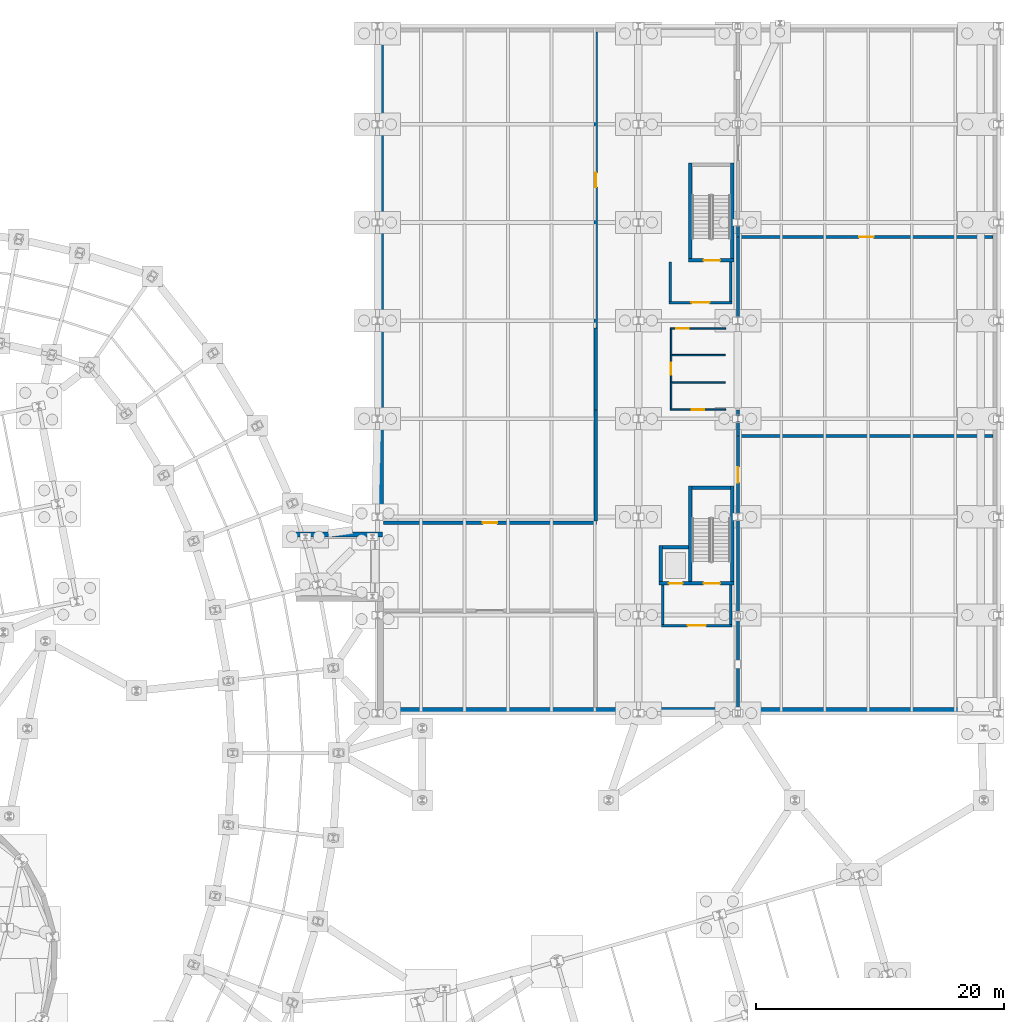
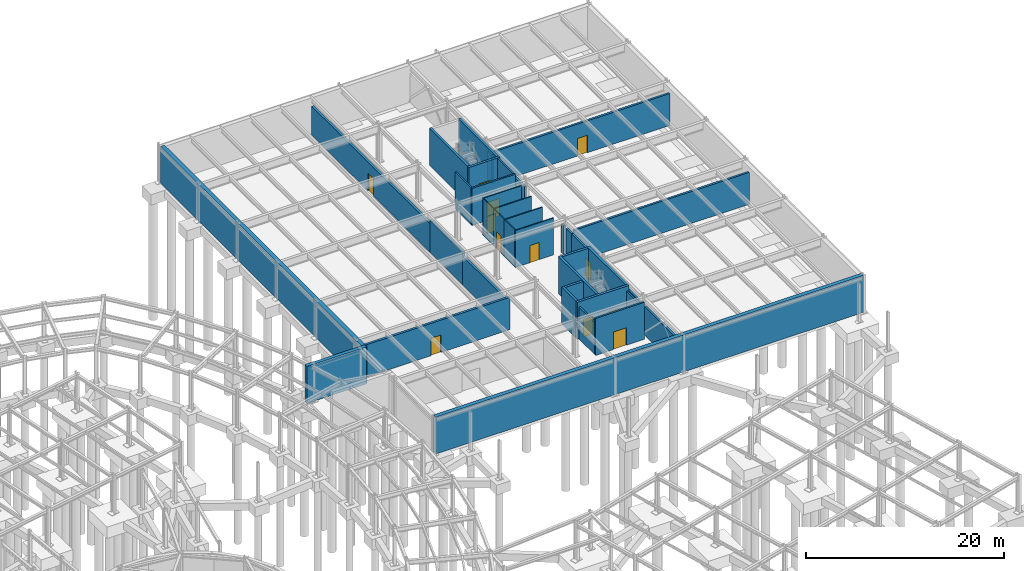
# One storey, part 44 of 50: 38 walls, 12 doors, 12 openings.
"""IFC4 building model written with IfcOpenShell, lengths in metres."""

from ifc_helpers import new_model, si_unit, direction, frame, frame_2d, origin, place, context, subcontext, project, spatial, rectangle, extrude, material, layer, layer_set, type_object, element, fill, save


model = new_model("IFC4")

# Units and contexts
model_context = context("Model", 3, precision=1e-05, world=origin(), true_north=direction((0.0, 1.0)))
body_context = subcontext(model_context, "Body", "Model", "MODEL_VIEW")
ifc_project = project(units=[si_unit("LENGTHUNIT", "METRE"), si_unit("AREAUNIT", "SQUARE_METRE"), si_unit("VOLUMEUNIT", "CUBIC_METRE"), si_unit("PLANEANGLEUNIT", "RADIAN"), si_unit("MASSUNIT", "GRAM", prefix="KILO")], contexts=[model_context])

# Site, building, storey
site_placement = place(None, origin())
site = spatial("IfcSite", under=ifc_project, at=site_placement, CompositionType="ELEMENT")
building_placement = place(site_placement, origin())
building = spatial("IfcBuilding", under=site, at=building_placement, Name="Varnklinge Art Gallery", CompositionType="ELEMENT")
storey_placement = place(building_placement, frame((0.0, 0.0, -4.800048828125)))
storey = spatial("IfcBuildingStorey", under=building, at=storey_placement, Name="B01", CompositionType="ELEMENT", Elevation=-4.800048828125)

# Wall, opening, door
ifc_material_1 = material(Name="Gypsum Board Partition", Category="gypsum")
ifc_layer_1 = layer(ifc_material_1, 0.1201171875)
ifc_layer_set_1 = layer_set([ifc_layer_1], Name="Gypsum Board Partition")
wall_type_1 = type_object("IfcWallType", Name="IW-12", PredefinedType="PARTITIONING", material=ifc_layer_set_1)
wall_1_placement = place(storey_placement, frame((137.969970703125, 82.6298828125, 0.0), z_axis=(0.0, 0.0, 1.0), x_axis=(1.0, 0.0, 0.0)))
wall_1 = element("IfcWall", 1, at=wall_1_placement, inside=storey, type_object=wall_type_1, Name="B01 Partition Wall IW-B01-0003", PredefinedType="PARTITIONING", context=body_context, shape_type="SweptSolid", body=[
    extrude(rectangle(XDim=4.4599609375, YDim=0.1201171875, at=frame_2d((2.22998046875, 0.0))), origin(), (0.0, 0.0, 1.0), 4.5400390625),
])
opening_1_placement = place(wall_1_placement, frame((1.719970703125, 0.0, 0.0)))
opening_1 = element("IfcOpeningElement", 2, at=opening_1_placement, cuts=wall_1, Name="Opening D-B01-118", PredefinedType="OPENING", context=body_context, shape_type="SweptSolid", body=[
    extrude(rectangle(XDim=1.02001953125, YDim=2.1201171875, at=frame_2d((0.510009765625, 1.06005859375))), frame((0.0, 0.070068359375, 0.0), z_axis=(0.0, -1.0, 0.0), x_axis=(1.0, 0.0, 0.0)), (0.0, 0.0, 1.0), 0.14013671875),
])
ifc_material_2 = material(Name="Oak Timber Leaf", Category="wood")
door_type_1 = type_object("IfcDoorType", Name="ID-03", OperationType="SINGLE_SWING_LEFT", PredefinedType="DOOR", material=ifc_material_2)
door_1_placement = place(opening_1_placement, origin())
door_1 = element("IfcDoor", 3, at=door_1_placement, inside=storey, type_object=door_type_1, Name="B01 B01 Accessible WC East Door D-B01-118", OperationType="SINGLE_SWING_RIGHT", OverallHeight=2.1201171875, OverallWidth=1.02001953125, PredefinedType="DOOR", context=body_context, shape_type="SweptSolid", body=[
    extrude(rectangle(XDim=1.02001953125, YDim=2.1201171875, at=frame_2d((0.510009765625, 1.06005859375))), frame((0.0, 0.02490234375, 0.0), z_axis=(0.0, -1.0, 0.0), x_axis=(1.0, 0.0, 0.0)), (0.0, 0.0, 1.0), 0.050048828125),
])
fill(opening_1, door_1)

wall_2_placement = place(storey_placement, frame((142.429931640625, 89.169921875, 0.0), z_axis=(0.0, 0.0, 1.0), x_axis=(-1.0, 0.0, 0.0)))
wall_2 = element("IfcWall", 4, at=wall_2_placement, inside=storey, type_object=wall_type_1, Name="B01 Partition Wall IW-B01-0011", PredefinedType="PARTITIONING", context=body_context, shape_type="SweptSolid", body=[
    extrude(rectangle(XDim=4.4599609375, YDim=0.1201171875, at=frame_2d((2.22998046875, 0.0))), origin(), (0.0, 0.0, 1.0), 4.5400390625),
])
opening_2_placement = place(wall_2_placement, frame((2.96875, 0.0, 0.0)))
opening_2 = element("IfcOpeningElement", 5, at=opening_2_placement, cuts=wall_2, Name="Opening D-B01-120", PredefinedType="OPENING", context=body_context, shape_type="SweptSolid", body=[
    extrude(rectangle(XDim=1.02001953125, YDim=2.1201171875, at=frame_2d((0.510009765625, 1.06005859375))), frame((0.0, 0.070068359375, 0.0), z_axis=(0.0, -1.0, 0.0), x_axis=(1.0, 0.0, 0.0)), (0.0, 0.0, 1.0), 0.14013671875),
])
door_2_placement = place(opening_2_placement, origin())
door_2 = element("IfcDoor", 6, at=door_2_placement, inside=storey, type_object=door_type_1, Name="B01 B01 Public Male Toilet Door D-B01-120", OperationType="SINGLE_SWING_RIGHT", OverallHeight=2.1201171875, OverallWidth=1.02001953125, PredefinedType="DOOR", context=body_context, shape_type="SweptSolid", body=[
    extrude(rectangle(XDim=1.02001953125, YDim=2.1201171875, at=frame_2d((0.510009765625, 1.06005859375))), frame((0.0, 0.02490234375, 0.0), z_axis=(0.0, -1.0, 0.0), x_axis=(1.0, 0.0, 0.0)), (0.0, 0.0, 1.0), 0.050048828125),
])
fill(opening_2, door_2)

# Wall
wall_3_placement = place(storey_placement, frame((138.030029296875, 84.830078125, 0.0), z_axis=(0.0, 0.0, 1.0), x_axis=(0.0, -1.0, 0.0)))
element("IfcWall", 7, at=wall_3_placement, inside=storey, type_object=wall_type_1, Name="B01 Partition Wall IW-B01-0017", PredefinedType="PARTITIONING", context=body_context, shape_type="SweptSolid", body=[
    extrude(rectangle(XDim=2.125, YDim=0.1201171875, at=frame_2d((1.0625, 0.0))), origin(), (0.0, 0.0, 1.0), 4.5400390625),
])

# Wall, opening, door
wall_4_placement = place(storey_placement, frame((138.030029296875, 87.030029296875, 0.0), z_axis=(0.0, 0.0, 1.0), x_axis=(0.0, -1.0, 0.0)))
wall_4 = element("IfcWall", 8, at=wall_4_placement, inside=storey, type_object=wall_type_1, Name="B01 Partition Wall IW-B01-0018", PredefinedType="PARTITIONING", context=body_context, shape_type="SweptSolid", body=[
    extrude(rectangle(XDim=2.199951171875, YDim=0.1201171875, at=frame_2d((1.10009765625, 0.0))), origin(), (0.0, 0.0, 1.0), 4.5400390625),
])
opening_3_placement = place(wall_4_placement, frame((0.6201171875, 0.0, 0.0)))
opening_3 = element("IfcOpeningElement", 9, at=opening_3_placement, cuts=wall_4, Name="Opening D-B01-123", PredefinedType="OPENING", context=body_context, shape_type="SweptSolid", body=[
    extrude(rectangle(XDim=0.9599609375, YDim=2.10009765625, at=frame_2d((0.47998046875, 1.050048828125))), frame((0.0, 0.070068359375, 0.0), z_axis=(0.0, -1.0, 0.0), x_axis=(1.0, 0.0, 0.0)), (0.0, 0.0, 1.0), 0.14013671875),
])
ifc_material_3 = material(Name="Oak Timber Leaf", Category="wood")
door_type_2 = type_object("IfcDoorType", Name="ID-02", OperationType="SINGLE_SWING_RIGHT", PredefinedType="DOOR", material=ifc_material_3)
door_3_placement = place(opening_3_placement, origin())
door_3 = element("IfcDoor", 10, at=door_3_placement, inside=storey, type_object=door_type_2, Name="B01 B01 Public Female Toilet Door D-B01-123", OperationType="SINGLE_SWING_LEFT", OverallHeight=2.10009765625, OverallWidth=0.9599609375, PredefinedType="DOOR", context=body_context, shape_type="SweptSolid", body=[
    extrude(rectangle(XDim=0.9599609375, YDim=2.10009765625, at=frame_2d((0.47998046875, 1.050048828125))), frame((0.0, 0.02490234375, 0.0), z_axis=(0.0, -1.0, 0.0), x_axis=(1.0, 0.0, 0.0)), (0.0, 0.0, 1.0), 0.050048828125),
])
fill(opening_3, door_3)

# Walls
wall_5_placement = place(storey_placement, frame((138.030029296875, 89.094970703125, 0.0), z_axis=(0.0, 0.0, 1.0), x_axis=(0.0, -1.0, 0.0)))
element("IfcWall", 11, at=wall_5_placement, inside=storey, type_object=wall_type_1, Name="B01 Partition Wall IW-B01-0019", PredefinedType="PARTITIONING", context=body_context, shape_type="SweptSolid", body=[
    extrude(rectangle(XDim=2.06494140625, YDim=0.1201171875, at=frame_2d((1.032470703125, 0.0))), origin(), (0.0, 0.0, 1.0), 4.5400390625),
])
for number, where, z_axis, x_axis, name in (
    (12, (138.10498046875, 84.830078125, 0.0), (0.0, 0.0, 1.0), (1.0, 0.0, 0.0), "B01 Partition Wall IW-B01-0033"),
    (13, (138.10498046875, 87.030029296875, 0.0), (0.0, 0.0, 1.0), (1.0, 0.0, 0.0), "B01 Partition Wall IW-B01-0034"),
):
    element("IfcWall", number, at=place(storey_placement, frame(where, z_axis=z_axis, x_axis=x_axis)), inside=storey, type_object=wall_type_1, Name=name, PredefinedType="PARTITIONING", context=body_context, shape_type="SweptSolid", body=[
        extrude(rectangle(XDim=4.294921875, YDim=0.1201171875, at=frame_2d((2.1474609375, 0.0))), origin(), (0.0, 0.0, 1.0), 4.5400390625),
    ])
ifc_material_4 = material(Name="Concrete C40/50", Category="concrete")
ifc_layer_2 = layer(ifc_material_4, 0.199951171875)
ifc_layer_set_2 = layer_set([ifc_layer_2], Name="Concrete C40/50")
wall_type_2 = type_object("IfcWallType", Name="IW-20", PredefinedType="PARTITIONING", material=ifc_layer_set_2)
for number, where, z_axis, x_axis, name in (
    (14, (142.85009765625, 65.35009765625, 0.0), (0.0, 0.0, 1.0), (0.0, 1.0, 0.0), "B01 Core C3 Lobby South Wall"),
    (15, (137.340087890625, 68.5, 0.0), (0.0, 0.0, 1.0), (0.0, -1.0, 0.0), "B01 Core C3 Lobby North Wall"),
):
    element("IfcWall", number, at=place(storey_placement, frame(where, z_axis=z_axis, x_axis=x_axis)), inside=storey, type_object=wall_type_2, Name=name, PredefinedType="PARTITIONING", context=body_context, shape_type="SweptSolid", body=[
        extrude(rectangle(XDim=3.14990234375, YDim=0.199951171875, at=frame_2d((1.574951171875, 0.0))), origin(), (0.0, 0.0, 1.0), 3.93994140625),
    ])

# Wall, opening, door
wall_6_placement = place(storey_placement, frame((142.949951171875, 65.25, 0.0), z_axis=(0.0, 0.0, 1.0), x_axis=(-1.0, 0.0, 0.0)))
wall_6 = element("IfcWall", 16, at=wall_6_placement, inside=storey, type_object=wall_type_2, Name="B01 Core C3 Lobby Corridor Wall", PredefinedType="PARTITIONING", context=body_context, shape_type="SweptSolid", body=[
    extrude(rectangle(XDim=5.7099609375, YDim=0.199951171875, at=frame_2d((2.85498046875, 0.0))), origin(), (0.0, 0.0, 1.0), 4.550048828125),
])
opening_4_placement = place(wall_6_placement, frame((2.114990234375, 0.0, 0.0)))
opening_4 = element("IfcOpeningElement", 17, at=opening_4_placement, cuts=wall_6, Name="Opening D-B01-051", PredefinedType="OPENING", context=body_context, shape_type="SweptSolid", body=[
    extrude(rectangle(XDim=1.47998046875, YDim=2.14990234375, at=frame_2d((0.739990234375, 1.074951171875))), frame((0.0, 0.110107421875, 0.0), z_axis=(0.0, -1.0, 0.0), x_axis=(1.0, 0.0, 0.0)), (0.0, 0.0, 1.0), 0.219970703125),
])
ifc_material_5 = material(Name="Galvanised Fire-Rated Steel", Category="steel")
door_type_3 = type_object("IfcDoorType", Name="ID-LB1", OperationType="DOUBLE_DOOR_SINGLE_SWING", PredefinedType="DOOR", material=ifc_material_5)
door_4_placement = place(opening_4_placement, origin())
door_4 = element("IfcDoor", 18, at=door_4_placement, inside=storey, type_object=door_type_3, Name="B01 Core C3 Protected Lobby Door D-B01-051", OperationType="DOUBLE_DOOR_SINGLE_SWING", OverallHeight=2.14990234375, OverallWidth=1.47998046875, PredefinedType="DOOR", context=body_context, shape_type="SweptSolid", body=[
    extrude(rectangle(XDim=1.47998046875, YDim=2.14990234375, at=frame_2d((0.739990234375, 1.074951171875))), frame((0.0, 0.02490234375, 0.0), z_axis=(0.0, -1.0, 0.0), x_axis=(1.0, 0.0, 0.0)), (0.0, 0.0, 1.0), 0.050048828125),
])
fill(opening_4, door_4)

# Walls
for number, where, z_axis, x_axis, name in (
    (19, (142.85009765625, 91.35009765625, 0.0), (0.0, 0.0, 1.0), (0.0, 1.0, 0.0), "B01 Core C7 Lobby South Wall"),
    (20, (137.949951171875, 94.5, 0.0), (0.0, 0.0, 1.0), (0.0, -1.0, 0.0), "B01 Core C7 Lobby North Wall"),
):
    element("IfcWall", number, at=place(storey_placement, frame(where, z_axis=z_axis, x_axis=x_axis)), inside=storey, type_object=wall_type_2, Name=name, PredefinedType="PARTITIONING", context=body_context, shape_type="SweptSolid", body=[
        extrude(rectangle(XDim=3.14990234375, YDim=0.199951171875, at=frame_2d((1.574951171875, 0.0))), origin(), (0.0, 0.0, 1.0), 4.550048828125),
    ])

# Wall, opening, door
wall_7_placement = place(storey_placement, frame((142.949951171875, 91.25, 0.0), z_axis=(0.0, 0.0, 1.0), x_axis=(-1.0, 0.0, 0.0)))
wall_7 = element("IfcWall", 21, at=wall_7_placement, inside=storey, type_object=wall_type_2, Name="B01 Core C7 Lobby Corridor Wall", PredefinedType="PARTITIONING", context=body_context, shape_type="SweptSolid", body=[
    extrude(rectangle(XDim=5.099853515625, YDim=0.199951171875, at=frame_2d((2.5498046875, 0.0))), origin(), (0.0, 0.0, 1.0), 4.550048828125),
])
opening_5_placement = place(wall_7_placement, frame((1.81005859375, 0.0, 0.0)))
opening_5 = element("IfcOpeningElement", 22, at=opening_5_placement, cuts=wall_7, Name="Opening D-B01-101", PredefinedType="OPENING", context=body_context, shape_type="SweptSolid", body=[
    extrude(rectangle(XDim=1.47998046875, YDim=2.14990234375, at=frame_2d((0.739990234375, 1.074951171875))), frame((0.0, 0.110107421875, 0.0), z_axis=(0.0, -1.0, 0.0), x_axis=(1.0, 0.0, 0.0)), (0.0, 0.0, 1.0), 0.219970703125),
])
door_5_placement = place(opening_5_placement, origin())
door_5 = element("IfcDoor", 23, at=door_5_placement, inside=storey, type_object=door_type_3, Name="B01 Core C7 Protected Lobby Door D-B01-101", OperationType="DOUBLE_DOOR_SINGLE_SWING", OverallHeight=2.14990234375, OverallWidth=1.47998046875, PredefinedType="DOOR", context=body_context, shape_type="SweptSolid", body=[
    extrude(rectangle(XDim=1.47998046875, YDim=2.14990234375, at=frame_2d((0.739990234375, 1.074951171875))), frame((0.0, 0.02490234375, 0.0), z_axis=(0.0, -1.0, 0.0), x_axis=(1.0, 0.0, 0.0)), (0.0, 0.0, 1.0), 0.050048828125),
])
fill(opening_5, door_5)

# Walls
ifc_material_6 = material(Name="Concrete C40/50", Category="concrete")
ifc_layer_3 = layer(ifc_material_6, 0.239990234375)
ifc_layer_set_3 = layer_set([ifc_layer_3], Name="Concrete C40/50")
wall_type_3 = type_object("IfcWallType", Name="IW-24", PredefinedType="PARTITIONING", material=ifc_layer_set_3)
wall_8_placement = place(storey_placement, frame((143.429931640625, 73.76220703125, 0.0), z_axis=(0.0, 0.0, 1.0), x_axis=(0.0, -1.0, 0.0)))
element("IfcWall", 24, at=wall_8_placement, inside=storey, type_object=wall_type_3, Name="B01 Partition Wall IW-B01-0006", PredefinedType="PARTITIONING", context=body_context, shape_type="SweptSolid", body=[
    extrude(rectangle(XDim=7.42431640625, YDim=0.239990234375, at=frame_2d((3.712158203125, 0.0))), origin(), (0.0, 0.0, 1.0), 3.530029296875),
])
wall_9_placement = place(storey_placement, frame((143.429931640625, 65.862060546875, 0.0), z_axis=(0.0, 0.0, 1.0), x_axis=(0.0, -1.0, 0.0)))
element("IfcWall", 25, at=wall_9_placement, inside=storey, type_object=wall_type_3, Name="B01 Partition Wall IW-B01-0007", PredefinedType="PARTITIONING", context=body_context, shape_type="SweptSolid", body=[
    extrude(rectangle(XDim=7.197998046875, YDim=0.239990234375, at=frame_2d((3.59912109375, 0.0))), origin(), (0.0, 0.0, 1.0), 3.530029296875),
])

# Wall, opening, door
wall_10_placement = place(storey_placement, frame((143.429931640625, 80.530029296875, 0.0), z_axis=(0.0, 0.0, 1.0), x_axis=(0.0, -1.0, 0.0)))
wall_10 = element("IfcWall", 26, at=wall_10_placement, inside=storey, type_object=wall_type_3, Name="B01 Partition Wall IW-B01-0008", PredefinedType="PARTITIONING", context=body_context, shape_type="SweptSolid", body=[
    extrude(rectangle(XDim=6.292236328125, YDim=0.239990234375, at=frame_2d((3.14599609375, 0.0))), origin(), (0.0, 0.0, 1.0), 3.530029296875),
])
opening_6_placement = place(wall_10_placement, frame((2.526123046875, 0.0, 0.0)))
opening_6 = element("IfcOpeningElement", 27, at=opening_6_placement, cuts=wall_10, Name="Opening D-B01-119", PredefinedType="OPENING", context=body_context, shape_type="SweptSolid", body=[
    extrude(rectangle(XDim=1.239990234375, YDim=2.14990234375, at=frame_2d((0.6201171875, 1.074951171875))), frame((0.0, 0.130126953125, 0.0), z_axis=(0.0, -1.0, 0.0), x_axis=(1.0, 0.0, 0.0)), (0.0, 0.0, 1.0), 0.260009765625),
])
ifc_material_7 = material(Name="Galvanised Fire-Rated Steel", Category="steel")
door_type_4 = type_object("IfcDoorType", Name="ID-06", OperationType="SINGLE_SWING_RIGHT", PredefinedType="DOOR", material=ifc_material_7)
door_6_placement = place(opening_6_placement, origin())
door_6 = element("IfcDoor", 28, at=door_6_placement, inside=storey, type_object=door_type_4, Name="B01 B01 Chiller and Geothermal Heat-Pump Plant Door D-B01-119", OperationType="SINGLE_SWING_LEFT", OverallHeight=2.14990234375, OverallWidth=1.239990234375, PredefinedType="DOOR", context=body_context, shape_type="SweptSolid", body=[
    extrude(rectangle(XDim=1.239990234375, YDim=2.14990234375, at=frame_2d((0.6201171875, 1.074951171875))), frame((0.0, 0.02490234375, 0.0), z_axis=(0.0, -1.0, 0.0), x_axis=(1.0, 0.0, 0.0)), (0.0, 0.0, 1.0), 0.050048828125),
])
fill(opening_6, door_6)

# Walls
wall_11_placement = place(storey_placement, frame((143.429931640625, 81.662109375, 0.0), z_axis=(0.0, 0.0, 1.0), x_axis=(0.0, -1.0, 0.0)))
element("IfcWall", 29, at=wall_11_placement, inside=storey, type_object=wall_type_3, Name="B01 Partition Wall IW-B01-0009", PredefinedType="PARTITIONING", context=body_context, shape_type="SweptSolid", body=[
    extrude(rectangle(XDim=1.132080078125, YDim=0.239990234375, at=frame_2d((0.56591796875, 0.0))), origin(), (0.0, 0.0, 1.0), 3.530029296875),
])
wall_12_placement = place(storey_placement, frame((143.429931640625, 82.602783203125, 0.0), z_axis=(0.0, 0.0, 1.0), x_axis=(0.0, -1.0, 0.0)))
element("IfcWall", 30, at=wall_12_placement, inside=storey, type_object=wall_type_3, Name="B01 Partition Wall IW-B01-0010", PredefinedType="PARTITIONING", context=body_context, shape_type="SweptSolid", body=[
    extrude(rectangle(XDim=0.46484375, YDim=0.239990234375, at=frame_2d((0.232421875, 0.0))), origin(), (0.0, 0.0, 1.0), 3.530029296875),
])
wall_13_placement = place(storey_placement, frame((143.429931640625, 96.530029296875, 0.0), z_axis=(0.0, 0.0, 1.0), x_axis=(0.0, -1.0, 0.0)))
element("IfcWall", 31, at=wall_13_placement, inside=storey, type_object=wall_type_3, Name="B01 Partition Wall IW-B01-0013", PredefinedType="PARTITIONING", context=body_context, shape_type="SweptSolid", body=[
    extrude(rectangle(XDim=6.4921875, YDim=0.239990234375, at=frame_2d((3.24609375, 0.0))), origin(), (0.0, 0.0, 1.0), 3.530029296875),
])
wall_14_placement = place(storey_placement, frame((143.429931640625, 97.462158203125, 0.0), z_axis=(0.0, 0.0, 1.0), x_axis=(0.0, -1.0, 0.0)))
element("IfcWall", 32, at=wall_14_placement, inside=storey, type_object=wall_type_3, Name="B01 Partition Wall IW-B01-0016", PredefinedType="PARTITIONING", context=body_context, shape_type="SweptSolid", body=[
    extrude(rectangle(XDim=0.93212890625, YDim=0.239990234375, at=frame_2d((0.466064453125, 0.0))), origin(), (0.0, 0.0, 1.0), 3.530029296875),
])
wall_15_placement = place(storey_placement, frame((143.56494140625, 80.530029296875, 0.0), z_axis=(0.0, 0.0, 1.0), x_axis=(1.0, 0.0, 0.0)))
element("IfcWall", 33, at=wall_15_placement, inside=storey, type_object=wall_type_3, Name="B01 Partition Wall IW-B01-0035", PredefinedType="PARTITIONING", context=body_context, shape_type="SweptSolid", body=[
    extrude(rectangle(XDim=20.37109375, YDim=0.239990234375, at=frame_2d((10.185546875, 0.0))), origin(), (0.0, 0.0, 1.0), 3.929931640625),
])

# Wall, opening, door
wall_16_placement = place(storey_placement, frame((143.56494140625, 96.530029296875, 0.0), z_axis=(0.0, 0.0, 1.0), x_axis=(1.0, 0.0, 0.0)))
wall_16 = element("IfcWall", 34, at=wall_16_placement, inside=storey, type_object=wall_type_3, Name="B01 Partition Wall IW-B01-0036", PredefinedType="PARTITIONING", context=body_context, shape_type="SweptSolid", body=[
    extrude(rectangle(XDim=20.37109375, YDim=0.239990234375, at=frame_2d((10.185546875, 0.0))), origin(), (0.0, 0.0, 1.0), 3.929931640625),
])
opening_7_placement = place(wall_16_placement, frame((9.610595703125, 0.0, 0.0)))
opening_7 = element("IfcOpeningElement", 35, at=opening_7_placement, cuts=wall_16, Name="Opening D-B01-130", PredefinedType="OPENING", context=body_context, shape_type="SweptSolid", body=[
    extrude(rectangle(XDim=1.14990234375, YDim=2.14990234375, at=frame_2d((0.574951171875, 1.074951171875))), frame((0.0, 0.130126953125, 0.0), z_axis=(0.0, -1.0, 0.0), x_axis=(1.0, 0.0, 0.0)), (0.0, 0.0, 1.0), 0.260009765625),
])
ifc_material_8 = material(Name="Galvanised Fire-Rated Steel", Category="steel")
door_type_5 = type_object("IfcDoorType", Name="ID-05", OperationType="SINGLE_SWING_LEFT", PredefinedType="DOOR", material=ifc_material_8)
door_7_placement = place(opening_7_placement, origin())
door_7 = element("IfcDoor", 36, at=door_7_placement, inside=storey, type_object=door_type_5, Name="B01 B01 Electrical Substation and Standby Plant Door D-B01-130", OperationType="SINGLE_SWING_RIGHT", OverallHeight=2.14990234375, OverallWidth=1.14990234375, PredefinedType="DOOR", context=body_context, shape_type="SweptSolid", body=[
    extrude(rectangle(XDim=1.14990234375, YDim=2.14990234375, at=frame_2d((0.574951171875, 1.074951171875))), frame((0.0, 0.02490234375, 0.0), z_axis=(0.0, -1.0, 0.0), x_axis=(1.0, 0.0, 0.0)), (0.0, 0.0, 1.0), 0.050048828125),
])
fill(opening_7, door_7)

ifc_material_9 = material(Name="Concrete C40/50", Category="concrete")
ifc_layer_4 = layer(ifc_material_9, 0.260009765625)
ifc_layer_set_4 = layer_set([ifc_layer_4], Name="Concrete C40/50")
wall_type_4 = type_object("IfcWallType", Name="IW-26", PredefinedType="PARTITIONING", material=ifc_layer_set_4)
wall_17_placement = place(storey_placement, frame((114.864013671875, 73.530029296875, 0.0), z_axis=(0.0, 0.0, 1.0), x_axis=(1.0, 0.0, 0.0)))
wall_17 = element("IfcWall", 37, at=wall_17_placement, inside=storey, type_object=wall_type_4, Name="B01 Partition Wall IW-B01-0002", PredefinedType="PARTITIONING", context=body_context, shape_type="SweptSolid", body=[
    extrude(rectangle(XDim=17.166015625, YDim=0.260009765625, at=frame_2d((8.5830078125, 0.0))), origin(), (0.0, 0.0, 1.0), 3.97998046875),
])
opening_8_placement = place(wall_17_placement, frame((8.008056640625, 0.0, 0.0)))
opening_8 = element("IfcOpeningElement", 38, at=opening_8_placement, cuts=wall_17, Name="Opening D-B01-117", PredefinedType="OPENING", context=body_context, shape_type="SweptSolid", body=[
    extrude(rectangle(XDim=1.14990234375, YDim=2.14990234375, at=frame_2d((0.574951171875, 1.074951171875))), frame((0.0, 0.139892578125, 0.0), z_axis=(0.0, -1.0, 0.0), x_axis=(1.0, 0.0, 0.0)), (0.0, 0.0, 1.0), 0.280029296875),
])
door_8_placement = place(opening_8_placement, origin())
door_8 = element("IfcDoor", 39, at=door_8_placement, inside=storey, type_object=door_type_5, Name="B01 B01 Heavy Sculpture Crate Store Door D-B01-117", OperationType="SINGLE_SWING_LEFT", OverallHeight=2.14990234375, OverallWidth=1.14990234375, PredefinedType="DOOR", context=body_context, shape_type="SweptSolid", body=[
    extrude(rectangle(XDim=1.14990234375, YDim=2.14990234375, at=frame_2d((0.574951171875, 1.074951171875))), frame((0.0, 0.02490234375, 0.0), z_axis=(0.0, -1.0, 0.0), x_axis=(1.0, 0.0, 0.0)), (0.0, 0.0, 1.0), 0.050048828125),
])
fill(opening_8, door_8)

# Wall
wall_18_placement = place(storey_placement, frame((131.969970703125, 73.675048828125, 0.0), z_axis=(0.0, 0.0, 1.0), x_axis=(0.0, 1.0, 0.0)))
element("IfcWall", 40, at=wall_18_placement, inside=storey, type_object=wall_type_4, Name="B01 Partition Wall IW-B01-0005", PredefinedType="PARTITIONING", context=body_context, shape_type="SweptSolid", body=[
    extrude(rectangle(XDim=8.925048828125, YDim=0.260009765625, at=frame_2d((4.46240234375, 0.0))), origin(), (0.0, 0.0, 1.0), 3.530029296875),
])

# Wall, opening, door
wall_19_placement = place(storey_placement, frame((131.969970703125, 89.199951171875, 0.0), z_axis=(0.0, 0.0, 1.0), x_axis=(0.0, 1.0, 0.0)))
wall_19 = element("IfcWall", 41, at=wall_19_placement, inside=storey, type_object=wall_type_4, Name="B01 Partition Wall IW-B01-0012", PredefinedType="PARTITIONING", context=body_context, shape_type="SweptSolid", body=[
    extrude(rectangle(XDim=23.8359375, YDim=0.260009765625, at=frame_2d((11.91796875, 0.0))), origin(), (0.0, 0.0, 1.0), 3.530029296875),
])
opening_9_placement = place(wall_19_placement, frame((11.343017578125, 0.0, 0.0)))
opening_9 = element("IfcOpeningElement", 42, at=opening_9_placement, cuts=wall_19, Name="Opening D-B01-121", PredefinedType="OPENING", context=body_context, shape_type="SweptSolid", body=[
    extrude(rectangle(XDim=1.14990234375, YDim=2.14990234375, at=frame_2d((0.574951171875, 1.074951171875))), frame((0.0, 0.139892578125, 0.0), z_axis=(0.0, -1.0, 0.0), x_axis=(1.0, 0.0, 0.0)), (0.0, 0.0, 1.0), 0.280029296875),
])
door_9_placement = place(opening_9_placement, origin())
door_9 = element("IfcDoor", 43, at=door_9_placement, inside=storey, type_object=door_type_5, Name="B01 B01 Heavy Sculpture Crate Store Door D-B01-121", OperationType="SINGLE_SWING_LEFT", OverallHeight=2.14990234375, OverallWidth=1.14990234375, PredefinedType="DOOR", context=body_context, shape_type="SweptSolid", body=[
    extrude(rectangle(XDim=1.14990234375, YDim=2.14990234375, at=frame_2d((0.574951171875, 1.074951171875))), frame((0.0, 0.02490234375, 0.0), z_axis=(0.0, -1.0, 0.0), x_axis=(1.0, 0.0, 0.0)), (0.0, 0.0, 1.0), 0.050048828125),
])
fill(opening_9, door_9)

# Walls
wall_20_placement = place(storey_placement, frame((131.969970703125, 82.60009765625, 0.0), z_axis=(0.0, 0.0, 1.0), x_axis=(0.0, 1.0, 0.0)))
element("IfcWall", 44, at=wall_20_placement, inside=storey, type_object=wall_type_4, Name="B01 Partition Wall IW-B01-0020", PredefinedType="PARTITIONING", context=body_context, shape_type="SweptSolid", body=[
    extrude(rectangle(XDim=6.599853515625, YDim=0.260009765625, at=frame_2d((3.2998046875, 0.0))), origin(), (0.0, 0.0, 1.0), 3.97998046875),
])
ifc_material_10 = material(Name="Concrete C40/50", Category="concrete")
ifc_layer_5 = layer(ifc_material_10, 0.419921875)
ifc_layer_set_5 = layer_set([ifc_layer_5], Name="Concrete C40/50")
wall_type_5 = type_object("IfcWallType", Name="RW-42", PredefinedType="USERDEFINED", material=ifc_layer_set_5)
wall_21_placement = place(storey_placement, frame((107.820068359375, 72.590087890625, 0.0), z_axis=(0.0, 0.0, 1.0), x_axis=(1.0, 0.0, 0.0)))
element("IfcWall", 45, at=wall_21_placement, inside=storey, type_object=wall_type_5, Name="RW-LNK-V1-N", ObjectType="RETAINING WALL", PredefinedType="USERDEFINED", context=body_context, shape_type="SweptSolid", body=[
    extrude(rectangle(XDim=6.9599609375, YDim=0.419921875, at=frame_2d((3.47998046875, 0.0))), origin(), (0.0, 0.0, 1.0), 4.550048828125),
])
ifc_material_11 = material(Name="Concrete C40/50", Category="concrete")
ifc_layer_6 = layer(ifc_material_11, 0.4599609375)
ifc_layer_set_6 = layer_set([ifc_layer_6], Name="Concrete C40/50")
wall_type_6 = type_object("IfcWallType", Name="RW-46", PredefinedType="USERDEFINED", material=ifc_layer_set_6)
wall_22_placement = place(storey_placement, frame((114.6298828125, 72.47998046875, 0.0), z_axis=(0.0, 0.0, 1.0), x_axis=(0.0, 1.0, 0.0)))
element("IfcWall", 46, at=wall_22_placement, inside=storey, type_object=wall_type_6, Name="B01 Exterior Wall RW-V1-B01-02", ObjectType="RETAINING WALL", PredefinedType="USERDEFINED", context=body_context, shape_type="SweptSolid", body=[
    extrude(rectangle(XDim=40.7900390625, YDim=0.4599609375, at=frame_2d((20.39501953125, 0.0))), origin(), (0.0, 0.0, 1.0), 4.550048828125),
])
wall_23_placement = place(storey_placement, frame((164.39990234375, 58.429931640625, 0.0), z_axis=(0.0, 0.0, 1.0), x_axis=(-1.0, 0.0, 0.0)))
element("IfcWall", 47, at=wall_23_placement, inside=storey, type_object=wall_type_6, Name="B01 Exterior Wall RW-V1-B01-05", ObjectType="RETAINING WALL", PredefinedType="USERDEFINED", context=body_context, shape_type="SweptSolid", body=[
    extrude(rectangle(XDim=49.77001953125, YDim=0.4599609375, at=frame_2d((24.885009765625, 0.0))), origin(), (0.0, 0.0, 1.0), 4.550048828125),
])
ifc_material_12 = material(Name="Concrete C40/50", Category="concrete")
ifc_layer_7 = layer(ifc_material_12, 0.280029296875)
ifc_layer_set_7 = layer_set([ifc_layer_7], Name="Concrete C40/50")
wall_type_7 = type_object("IfcWallType", Name="SW-28", PredefinedType="SHEAR", material=ifc_layer_set_7)
wall_24_placement = place(storey_placement, frame((142.949951171875, 68.7900390625, 0.0), z_axis=(0.0, 0.0, 1.0), x_axis=(0.0, 1.0, 0.0)))
element("IfcWall", 48, at=wall_24_placement, inside=storey, type_object=wall_type_7, Name="B01 Core C3 South Shear Wall", PredefinedType="SHEAR", context=body_context, shape_type="SweptSolid", body=[
    extrude(rectangle(XDim=7.699951171875, YDim=0.280029296875, at=frame_2d((3.85009765625, 0.0))), origin(), (0.0, 0.0, 1.0), 4.550048828125),
])
wall_25_placement = place(storey_placement, frame((142.81005859375, 76.35009765625, 0.0), z_axis=(0.0, 0.0, 1.0), x_axis=(-1.0, 0.0, 0.0)))
element("IfcWall", 49, at=wall_25_placement, inside=storey, type_object=wall_type_7, Name="B01 Core C3 East Shear Wall", PredefinedType="SHEAR", context=body_context, shape_type="SweptSolid", body=[
    extrude(rectangle(XDim=3.080078125, YDim=0.280029296875, at=frame_2d((1.5400390625, 0.0))), origin(), (0.0, 0.0, 1.0), 4.550048828125),
])
wall_26_placement = place(storey_placement, frame((139.590087890625, 76.489990234375, 0.0), z_axis=(0.0, 0.0, 1.0), x_axis=(0.0, -1.0, 0.0)))
element("IfcWall", 50, at=wall_26_placement, inside=storey, type_object=wall_type_7, Name="B01 Core C3 Dividing Shear Wall", PredefinedType="SHEAR", context=body_context, shape_type="SweptSolid", body=[
    extrude(rectangle(XDim=7.699951171875, YDim=0.280029296875, at=frame_2d((3.85009765625, 0.0))), origin(), (0.0, 0.0, 1.0), 4.550048828125),
])
wall_27_placement = place(storey_placement, frame((139.449951171875, 71.550048828125, 0.0), z_axis=(0.0, 0.0, 1.0), x_axis=(-1.0, 0.0, 0.0)))
element("IfcWall", 51, at=wall_27_placement, inside=storey, type_object=wall_type_7, Name="B01 Core C3 Lift East Shear Wall", PredefinedType="SHEAR", context=body_context, shape_type="SweptSolid", body=[
    extrude(rectangle(XDim=2.119873046875, YDim=0.280029296875, at=frame_2d((1.06005859375, 0.0))), origin(), (0.0, 0.0, 1.0), 4.550048828125),
])
wall_28_placement = place(storey_placement, frame((137.18994140625, 71.68994140625, 0.0), z_axis=(0.0, 0.0, 1.0), x_axis=(0.0, -1.0, 0.0)))
element("IfcWall", 52, at=wall_28_placement, inside=storey, type_object=wall_type_7, Name="B01 Core C3 Lift North Shear Wall", PredefinedType="SHEAR", context=body_context, shape_type="SweptSolid", body=[
    extrude(rectangle(XDim=2.89990234375, YDim=0.280029296875, at=frame_2d((1.449951171875, 0.0))), origin(), (0.0, 0.0, 1.0), 4.550048828125),
])

# Wall, openings, doors
wall_29_placement = place(storey_placement, frame((137.050048828125, 68.64990234375, 0.0), z_axis=(0.0, 0.0, 1.0), x_axis=(1.0, 0.0, 0.0)))
wall_29 = element("IfcWall", 53, at=wall_29_placement, inside=storey, type_object=wall_type_7, Name="B01 Core C3 Front Shear Wall", PredefinedType="SHEAR", context=body_context, shape_type="SweptSolid", body=[
    extrude(rectangle(XDim=6.0400390625, YDim=0.280029296875, at=frame_2d((3.02001953125, 0.0))), origin(), (0.0, 0.0, 1.0), 4.550048828125),
])
opening_10_placement = place(wall_29_placement, frame((0.800048828125, 0.0, 0.0)))
opening_10 = element("IfcOpeningElement", 54, at=opening_10_placement, cuts=wall_29, Name="Opening LD-B01-049", PredefinedType="OPENING", context=body_context, shape_type="SweptSolid", body=[
    extrude(rectangle(XDim=1.10009765625, YDim=2.1201171875, at=frame_2d((0.550048828125, 1.06005859375))), frame((0.0, 0.150146484375, 0.0), z_axis=(0.0, -1.0, 0.0), x_axis=(1.0, 0.0, 0.0)), (0.0, 0.0, 1.0), 0.300048828125),
])
opening_11_placement = place(wall_29_placement, frame((3.60009765625, 0.0, 0.0)))
opening_11 = element("IfcOpeningElement", 55, at=opening_11_placement, cuts=wall_29, Name="Opening D-B01-050", PredefinedType="OPENING", context=body_context, shape_type="SweptSolid", body=[
    extrude(rectangle(XDim=1.320068359375, YDim=2.1201171875, at=frame_2d((0.66015625, 1.06005859375))), frame((0.0, 0.150146484375, 0.0), z_axis=(0.0, -1.0, 0.0), x_axis=(1.0, 0.0, 0.0)), (0.0, 0.0, 1.0), 0.300048828125),
])
ifc_material_13 = material(Name="Galvanised Fire-Rated Steel", Category="steel")
door_type_6 = type_object("IfcDoorType", Name="ID-ST1", OperationType="SINGLE_SWING_LEFT", PredefinedType="DOOR", material=ifc_material_13)
door_10_placement = place(opening_11_placement, origin())
door_10 = element("IfcDoor", 56, at=door_10_placement, inside=storey, type_object=door_type_6, Name="B01 Stair ST-03 Fire Door D-B01-050", OperationType="SINGLE_SWING_LEFT", OverallHeight=2.1201171875, OverallWidth=1.320068359375, PredefinedType="DOOR", context=body_context, shape_type="SweptSolid", body=[
    extrude(rectangle(XDim=1.320068359375, YDim=2.1201171875, at=frame_2d((0.66015625, 1.06005859375))), frame((0.0, 0.02490234375, 0.0), z_axis=(0.0, -1.0, 0.0), x_axis=(1.0, 0.0, 0.0)), (0.0, 0.0, 1.0), 0.050048828125),
])
fill(opening_11, door_10)
ifc_material_14 = material(Name="Anodised Aluminium", Category="aluminium")
door_type_7 = type_object("IfcDoorType", Name="LD-PAX", OperationType="SLIDING_TO_LEFT", PredefinedType="DOOR", material=ifc_material_14)
door_11_placement = place(opening_10_placement, origin())
door_11 = element("IfcDoor", 57, at=door_11_placement, inside=storey, type_object=door_type_7, Name="B01 LF-03 Sliding Landing Door LD-B01-049", OperationType="SLIDING_TO_LEFT", OverallHeight=2.1201171875, OverallWidth=1.10009765625, PredefinedType="DOOR", context=body_context, shape_type="SweptSolid", body=[
    extrude(rectangle(XDim=1.10009765625, YDim=2.1201171875, at=frame_2d((0.550048828125, 1.06005859375))), frame((0.0, 0.02490234375, 0.0), z_axis=(0.0, -1.0, 0.0), x_axis=(1.0, 0.0, 0.0)), (0.0, 0.0, 1.0), 0.050048828125),
])
fill(opening_10, door_11)

# Walls
for number, where, z_axis, x_axis, name in (
    (58, (142.949951171875, 94.7900390625, 0.0), (0.0, 0.0, 1.0), (0.0, 1.0, 0.0), "B01 Core C7 South Shear Wall"),
    (59, (139.590087890625, 102.489990234375, 0.0), (0.0, 0.0, 1.0), (0.0, -1.0, 0.0), "B01 Core C7 Dividing Shear Wall"),
):
    element("IfcWall", number, at=place(storey_placement, frame(where, z_axis=z_axis, x_axis=x_axis)), inside=storey, type_object=wall_type_7, Name=name, PredefinedType="SHEAR", context=body_context, shape_type="SweptSolid", body=[
        extrude(rectangle(XDim=7.699951171875, YDim=0.280029296875, at=frame_2d((3.85009765625, 0.0))), origin(), (0.0, 0.0, 1.0), 4.550048828125),
    ])

# Wall, opening, door
wall_30_placement = place(storey_placement, frame((139.449951171875, 94.64990234375, 0.0), z_axis=(0.0, 0.0, 1.0), x_axis=(1.0, 0.0, 0.0)))
wall_30 = element("IfcWall", 60, at=wall_30_placement, inside=storey, type_object=wall_type_7, Name="B01 Core C7 Front Shear Wall", PredefinedType="SHEAR", context=body_context, shape_type="SweptSolid", body=[
    extrude(rectangle(XDim=3.64013671875, YDim=0.280029296875, at=frame_2d((1.820068359375, 0.0))), origin(), (0.0, 0.0, 1.0), 4.550048828125),
])
opening_12_placement = place(wall_30_placement, frame((1.199951171875, 0.0, 0.0)))
opening_12 = element("IfcOpeningElement", 61, at=opening_12_placement, cuts=wall_30, Name="Opening D-B01-100", PredefinedType="OPENING", context=body_context, shape_type="SweptSolid", body=[
    extrude(rectangle(XDim=1.320068359375, YDim=2.1201171875, at=frame_2d((0.66015625, 1.06005859375))), frame((0.0, 0.150146484375, 0.0), z_axis=(0.0, -1.0, 0.0), x_axis=(1.0, 0.0, 0.0)), (0.0, 0.0, 1.0), 0.300048828125),
])
door_12_placement = place(opening_12_placement, origin())
door_12 = element("IfcDoor", 62, at=door_12_placement, inside=storey, type_object=door_type_6, Name="B01 Stair ST-07 Fire Door D-B01-100", OperationType="SINGLE_SWING_LEFT", OverallHeight=2.1201171875, OverallWidth=1.320068359375, PredefinedType="DOOR", context=body_context, shape_type="SweptSolid", body=[
    extrude(rectangle(XDim=1.320068359375, YDim=2.1201171875, at=frame_2d((0.66015625, 1.06005859375))), frame((0.0, 0.02490234375, 0.0), z_axis=(0.0, -1.0, 0.0), x_axis=(1.0, 0.0, 0.0)), (0.0, 0.0, 1.0), 0.050048828125),
])
fill(opening_12, door_12)

save(model, "model.ifc")
